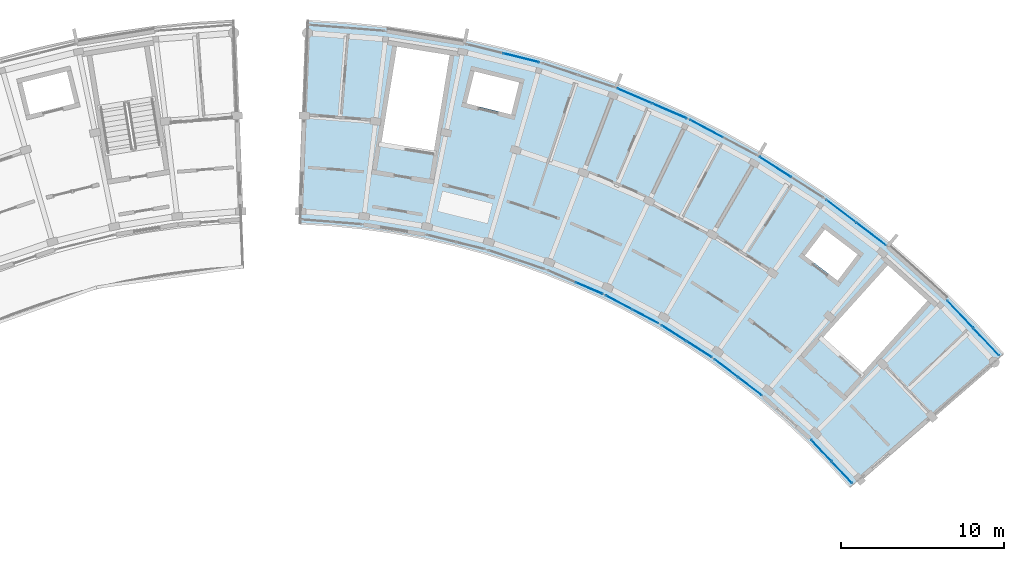
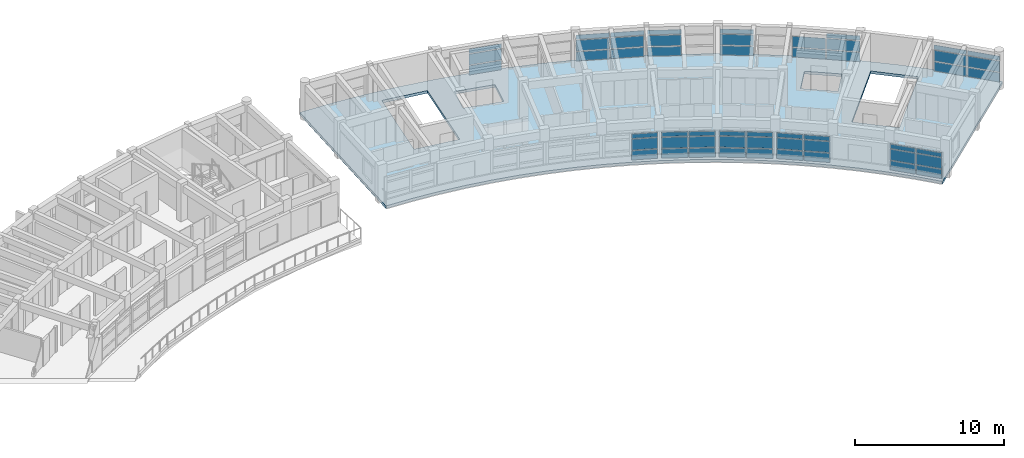
# One storey, part 12 of 23: 53 plates, 1 slab, 11 elements without a shape of their own.
"""IFC4 building model written with IfcOpenShell, lengths in metres."""

import ifcopenshell
import ifcopenshell.guid

model = None  # the IFC model being written
_history = None  # IfcOwnerHistory: only IFC2X3 demands one
_inside = {}  # id of a spatial element -> (the spatial element, [elements in it])
_under = {}  # id of a project, library or spatial element -> (it, [spatial elements below it])
_declared = {}  # id of a project -> (the project, [libraries it declares])
_typed = {}  # id of a type object -> (the type object, [elements of that type])
_made_of = {}  # id of a material, layer set ... -> (it, [elements and type objects made of it])


def new_model(schema):
    """Start an empty IFC model of exactly this schema.

    Asked for "IFC4X3", IfcOpenShell would pick the latest addendum, in which some entities
    have other attributes; the version numbers below select the first issue.
    IFC2X3 requires an IfcOwnerHistory on every rooted entity: one is made here for all.
    """
    global model, _history
    if schema == "IFC4X3":
        model = ifcopenshell.file(schema_version=(4, 3, 0, 0))
    else:
        model = ifcopenshell.file(schema=schema)
    _inside.clear()
    _under.clear()
    _declared.clear()
    _typed.clear()
    _made_of.clear()
    _history = None
    if model.schema == "IFC2X3":
        org = make("IfcOrganization", Name="unknown")
        user = make(
            "IfcPersonAndOrganization",
            ThePerson=make("IfcPerson", FamilyName="unknown"),
            TheOrganization=org,
        )
        app = make(
            "IfcApplication",
            ApplicationDeveloper=org,
            Version="unknown",
            ApplicationFullName="unknown",
            ApplicationIdentifier="unknown",
        )
        _history = make(
            "IfcOwnerHistory",
            OwningUser=user,
            OwningApplication=app,
            ChangeAction="ADDED",
            CreationDate=0,
        )
    return model


def make(cls, **values):
    """One entity of the class cls with the attributes given. An attribute that is None is left unset."""
    return model.create_entity(
        cls, **{name: value for name, value in values.items() if value is not None}
    )


def rooted(cls, **values):
    """An entity with a GlobalId (a new one), such as an element, a storey or a relation."""
    return make(cls, GlobalId=ifcopenshell.guid.new(), OwnerHistory=_history, **values)


def si_unit(unit_type, name, prefix=None):
    """IfcSIUnit, for example si_unit("LENGTHUNIT", "METRE", prefix="MILLI")."""
    return make("IfcSIUnit", UnitType=unit_type, Prefix=prefix, Name=name)


def assignment(units):
    """IfcUnitAssignment: the units of a project."""
    return None if units is None else make("IfcUnitAssignment", Units=units)


def point(xyz):
    """IfcCartesianPoint."""
    return None if xyz is None else make("IfcCartesianPoint", Coordinates=xyz)


def direction(xyz):
    """IfcDirection."""
    return None if xyz is None else make("IfcDirection", DirectionRatios=xyz)


def frame(location, z_axis=None, x_axis=None):
    """IfcAxis2Placement3D, a coordinate frame: its origin and axes. An axis left out is left unset."""
    return make(
        "IfcAxis2Placement3D",
        Location=point(location),
        Axis=direction(z_axis),
        RefDirection=direction(x_axis),
    )


def frame_2d(location, x_axis=None):
    """IfcAxis2Placement2D, a coordinate frame in the plane: its origin and x axis."""
    return make(
        "IfcAxis2Placement2D", Location=point(location), RefDirection=direction(x_axis)
    )


def origin():
    """The frame at (0, 0, 0) with its axes left unset."""
    return frame((0.0, 0.0, 0.0))


def origin_2d():
    """The frame at (0, 0) in the plane with its x axis left unset."""
    return frame_2d((0.0, 0.0))


def place(relative_to, where):
    """IfcLocalPlacement: puts the frame where relative to a parent placement (None: the world)."""
    return make(
        "IfcLocalPlacement", PlacementRelTo=relative_to, RelativePlacement=where
    )


def context(
    kind, dimensions, precision=None, world=None, true_north=None, identifier=None
):
    """IfcGeometricRepresentationContext, for example the 3D "Model" context."""
    return make(
        "IfcGeometricRepresentationContext",
        ContextIdentifier=identifier,
        ContextType=kind,
        CoordinateSpaceDimension=dimensions,
        Precision=precision,
        WorldCoordinateSystem=world,
        TrueNorth=true_north,
    )


def subcontext(parent, identifier, kind, view, scale=None):
    """IfcGeometricRepresentationSubContext, for example "Body" below "Model"."""
    return make(
        "IfcGeometricRepresentationSubContext",
        ContextIdentifier=identifier,
        ContextType=kind,
        ParentContext=parent,
        TargetScale=scale,
        TargetView=view,
    )


def project(units=None, contexts=None):
    """IfcProject with its units and contexts."""
    return rooted(
        "IfcProject",
        Name="project",
        RepresentationContexts=contexts,
        UnitsInContext=assignment(units),
    )


def spatial(cls, under=None, at=None, **own):
    """A site, building, storey or space (cls), placed at a placement, below another one or the project."""
    s = rooted(cls, ObjectPlacement=at, **own)
    if under is not None:
        _under.setdefault(under.id(), (under, []))[1].append(s)
    return s


def polyline(points):
    """IfcPolyline through the points."""
    return make("IfcPolyline", Points=[point(p) for p in points])


def profile(cls, at=None, kind="AREA", **sizes):
    """A parametric profile (cls). Its sizes go by their IFC names, for example OverallWidth=200.0."""
    return make(cls, ProfileType=kind, Position=at, **sizes)


def rectangle(**sizes):
    """IfcRectangleProfileDef."""
    return profile("IfcRectangleProfileDef", **sizes)


def outline(outer, holes=None, kind="AREA"):
    """IfcArbitraryClosedProfileDef: a profile drawn as a closed curve; with holes, ...WithVoids."""
    if holes is None:
        return make("IfcArbitraryClosedProfileDef", ProfileType=kind, OuterCurve=outer)
    return make(
        "IfcArbitraryProfileDefWithVoids",
        ProfileType=kind,
        OuterCurve=outer,
        InnerCurves=holes,
    )


def extrude(swept, where, along, depth):
    """IfcExtrudedAreaSolid: the profile swept, set in the frame where, extruded along a direction by depth."""
    return make(
        "IfcExtrudedAreaSolid",
        SweptArea=swept,
        Position=where,
        ExtrudedDirection=direction(along),
        Depth=depth,
    )


def shape(context_of_items, identifier, shape_type, items):
    """IfcShapeRepresentation: the items that make up one representation, for example the "Body"."""
    return make(
        "IfcShapeRepresentation",
        ContextOfItems=context_of_items,
        RepresentationIdentifier=identifier,
        RepresentationType=shape_type,
        Items=items,
    )


def material(Name=None, Category=None):
    """IfcMaterial."""
    return make("IfcMaterial", Name=Name, Category=Category)


def layer(
    of_material, thickness, ventilated=None, Name=None, Category=None, Priority=None
):
    """IfcMaterialLayer: one layer of a wall or slab, of a material (None: an air gap)."""
    return make(
        "IfcMaterialLayer",
        Material=of_material,
        LayerThickness=thickness,
        IsVentilated=ventilated,
        Name=Name,
        Category=Category,
        Priority=Priority,
    )


def layer_set(layers, Name=None):
    """IfcMaterialLayerSet."""
    return make("IfcMaterialLayerSet", MaterialLayers=layers, LayerSetName=Name)


def made_of(thing, what):
    """Note that an element or type object is made of a material, layer set ...; save() writes the relation."""
    if what is not None:
        _made_of.setdefault(what.id(), (what, []))[1].append(thing)
    return thing


def type_object(cls, material=None, **own):
    """A type object (cls), such as IfcWallType, which elements share."""
    return made_of(rooted(cls, **own), material)


def element(
    cls,
    number,
    at=None,
    inside=None,
    cuts=None,
    type_object=None,
    material=None,
    context=None,
    identifier="Body",
    shape_type=None,
    held_by="IfcProductDefinitionShape",
    body=None,
    shapes=None,
    **own,
):
    """One element of the class cls, such as IfcWall. Its Tag is "e" and its number.

    at: its placement. inside: the storey or other place that contains it. cuts: it is an
    opening in that element (IfcRelVoidsElement). A single representation is given by context,
    identifier, shape_type and body (its items); several are given by shapes. held_by: the class
    of the entity that holds the representations. save() writes the other relations.
    """
    e = rooted(cls, Tag="e%d" % number, ObjectPlacement=at, **own)
    if body is not None:
        shapes = [shape(context, identifier, shape_type, body)]
    if shapes is not None:
        e.Representation = make(held_by, Representations=shapes)
    if inside is not None:
        _inside.setdefault(inside.id(), (inside, []))[1].append(e)
    if cuts is not None:
        rooted(
            "IfcRelVoidsElement", RelatingBuildingElement=cuts, RelatedOpeningElement=e
        )
    if type_object is not None:
        _typed.setdefault(type_object.id(), (type_object, []))[1].append(e)
    return made_of(e, material)


def aggregate(whole, parts):
    """IfcRelAggregates: a whole, such as a stair, and the parts it consists of."""
    return rooted("IfcRelAggregates", RelatingObject=whole, RelatedObjects=parts)


def save(model, path):
    """Write the relations noted so far, then the file.

    IfcRelAggregates (storeys below a building ...), IfcRelContainedInSpatialStructure (elements
    in a storey), IfcRelDefinesByType, IfcRelAssociatesMaterial and IfcRelDeclares: one each for
    every whole, place, type object, material and project.
    """
    for whole, parts in _under.values():
        aggregate(whole, parts)
    for where, things in _inside.values():
        rooted(
            "IfcRelContainedInSpatialStructure",
            RelatedElements=things,
            RelatingStructure=where,
        )
    for kind, things in _typed.values():
        rooted("IfcRelDefinesByType", RelatedObjects=things, RelatingType=kind)
    for what, things in _made_of.values():
        rooted("IfcRelAssociatesMaterial", RelatedObjects=things, RelatingMaterial=what)
    for by, libraries in _declared.values():
        rooted("IfcRelDeclares", RelatingContext=by, RelatedDefinitions=libraries)
    model.write(path)


model = new_model("IFC4")

# Units and contexts
model_context = context("Model", 3, precision=1e-05, world=origin(), true_north=direction((0.0, 1.0)))
body_context = subcontext(model_context, "Body", "Model", "MODEL_VIEW")
ifc_project = project(units=[si_unit("LENGTHUNIT", "METRE"), si_unit("AREAUNIT", "SQUARE_METRE"), si_unit("VOLUMEUNIT", "CUBIC_METRE"), si_unit("PLANEANGLEUNIT", "RADIAN"), si_unit("MASSUNIT", "GRAM", prefix="KILO")], contexts=[model_context])

# Site, building, storey
site_placement = place(None, origin())
site = spatial("IfcSite", under=ifc_project, at=site_placement, CompositionType="ELEMENT")
building_placement = place(site_placement, origin())
building = spatial("IfcBuilding", under=site, at=building_placement, Name="Zimvara Arc Housing Community", CompositionType="ELEMENT")
storey_placement = place(building_placement, frame((0.0, 0.0, 36.0)))
storey = spatial("IfcBuildingStorey", under=building, at=storey_placement, Name="L11", CompositionType="ELEMENT", Elevation=36.0)

# Curtain wall, plates
ifc_material_1 = material(Name="Anodised Aluminium AW-6063", Category="aluminium")
curtain_wall_type_1 = type_object("IfcCurtainWallType", Name="CW-SYS-04", PredefinedType="USERDEFINED", material=ifc_material_1)
curtain_wall_1_placement = place(storey_placement, origin())
curtain_wall_1 = element("IfcCurtainWall", 1, at=curtain_wall_1_placement, inside=storey, type_object=curtain_wall_type_1, Name="cw:blkB:L11:in:b4", ObjectType="CURTAIN WALL", PredefinedType="USERDEFINED")
ifc_material_2 = material(Name="Pale-Gold Anodised Aluminium Spandrel Panel", Category="aluminium")
ifc_layer_1 = layer(ifc_material_2, 0.035888671875)
ifc_layer_set_1 = layer_set([ifc_layer_1], Name="Pale-Gold Anodised Aluminium Spandrel Panel")
plate_type_1 = type_object("IfcPlateType", Name="CWP-GLD-36", PredefinedType="CURTAIN_PANEL", material=ifc_layer_set_1)
plate_1_placement = place(storey_placement, frame((64.5576171875, 87.66552734375, 0.06494140625), z_axis=(0.0, 0.0, 1.0), x_axis=(0.918722411261, -0.394903951674, 0.0)))
plate_1 = element("IfcPlate", 2, at=plate_1_placement, type_object=plate_type_1, Name="CW04 panel 2.1", PredefinedType="CURTAIN_PANEL", context=body_context, shape_type="SweptSolid", body=[
    extrude(rectangle(XDim=1.778564453125, YDim=0.035888671875, at=origin_2d()), origin(), (0.0, 0.0, 1.0), 0.75244140625),
])
plate_2_placement = place(storey_placement, frame((64.5576171875, 87.66552734375, 0.88232421875), z_axis=(0.0, 0.0, 1.0), x_axis=(0.918722411261, -0.394903951674, 0.0)))
plate_2 = element("IfcPlate", 3, at=plate_2_placement, type_object=plate_type_1, Name="CW04 panel 2.2", PredefinedType="CURTAIN_PANEL", context=body_context, shape_type="SweptSolid", body=[
    extrude(rectangle(XDim=1.778564453125, YDim=0.035888671875, at=origin_2d()), origin(), (0.0, 0.0, 1.0), 0.885009765625),
])
plate_3_placement = place(storey_placement, frame((64.5576171875, 87.66552734375, 1.83251953125), z_axis=(0.0, 0.0, 1.0), x_axis=(0.918722411261, -0.394903951674, 0.0)))
plate_3 = element("IfcPlate", 4, at=plate_3_placement, type_object=plate_type_1, Name="CW04 panel 2.3", PredefinedType="CURTAIN_PANEL", context=body_context, shape_type="SweptSolid", body=[
    extrude(rectangle(XDim=1.778564453125, YDim=0.035888671875, at=origin_2d()), origin(), (0.0, 0.0, 1.0), 0.3525390625),
])
aggregate(curtain_wall_1, [plate_1, plate_2, plate_3])

ifc_material_3 = material(Name="Anodised Aluminium AW-6063", Category="aluminium")
curtain_wall_type_2 = type_object("IfcCurtainWallType", Name="CW-SYS-08", PredefinedType="USERDEFINED", material=ifc_material_3)
curtain_wall_2_placement = place(storey_placement, origin())
curtain_wall_2 = element("IfcCurtainWall", 5, at=curtain_wall_2_placement, inside=storey, type_object=curtain_wall_type_2, Name="cw:blkB:L11:in:b6", ObjectType="CURTAIN WALL", PredefinedType="USERDEFINED")
plate_4_placement = place(storey_placement, frame((69.7646484375, 84.90380859375, 0.06494140625), z_axis=(0.0, 0.0, 1.0), x_axis=(0.842264092079, -0.539065115913, 0.0)))
plate_4 = element("IfcPlate", 6, at=plate_4_placement, type_object=plate_type_1, Name="CW08 panel 1.1", PredefinedType="CURTAIN_PANEL", context=body_context, shape_type="SweptSolid", body=[
    extrude(rectangle(XDim=1.778564453125, YDim=0.035888671875, at=origin_2d()), origin(), (0.0, 0.0, 1.0), 0.75244140625),
])
plate_5_placement = place(storey_placement, frame((69.7646484375, 84.90380859375, 0.88232421875), z_axis=(0.0, 0.0, 1.0), x_axis=(0.842264092079, -0.539065115913, 0.0)))
plate_5 = element("IfcPlate", 7, at=plate_5_placement, type_object=plate_type_1, Name="CW08 panel 1.2", PredefinedType="CURTAIN_PANEL", context=body_context, shape_type="SweptSolid", body=[
    extrude(rectangle(XDim=1.778564453125, YDim=0.035888671875, at=origin_2d()), origin(), (0.0, 0.0, 1.0), 0.885009765625),
])
plate_6_placement = place(storey_placement, frame((69.7646484375, 84.90380859375, 1.83251953125), z_axis=(0.0, 0.0, 1.0), x_axis=(0.842264092079, -0.539065115913, 0.0)))
plate_6 = element("IfcPlate", 8, at=plate_6_placement, type_object=plate_type_1, Name="CW08 panel 1.3", PredefinedType="CURTAIN_PANEL", context=body_context, shape_type="SweptSolid", body=[
    extrude(rectangle(XDim=1.778564453125, YDim=0.035888671875, at=origin_2d()), origin(), (0.0, 0.0, 1.0), 0.3525390625),
])
plate_7_placement = place(storey_placement, frame((71.317626953125, 83.909912109375, 0.06494140625), z_axis=(0.0, 0.0, 1.0), x_axis=(0.842264092079, -0.539065115913, 0.0)))
plate_7 = element("IfcPlate", 9, at=plate_7_placement, type_object=plate_type_1, Name="CW08 panel 2.1", PredefinedType="CURTAIN_PANEL", context=body_context, shape_type="SweptSolid", body=[
    extrude(rectangle(XDim=1.778564453125, YDim=0.035888671875, at=origin_2d()), origin(), (0.0, 0.0, 1.0), 0.75244140625),
])
plate_8_placement = place(storey_placement, frame((71.317626953125, 83.909912109375, 0.88232421875), z_axis=(0.0, 0.0, 1.0), x_axis=(0.842264092079, -0.539065115913, 0.0)))
plate_8 = element("IfcPlate", 10, at=plate_8_placement, type_object=plate_type_1, Name="CW08 panel 2.2", PredefinedType="CURTAIN_PANEL", context=body_context, shape_type="SweptSolid", body=[
    extrude(rectangle(XDim=1.778564453125, YDim=0.035888671875, at=origin_2d()), origin(), (0.0, 0.0, 1.0), 0.885009765625),
])
plate_9_placement = place(storey_placement, frame((71.317626953125, 83.909912109375, 1.83251953125), z_axis=(0.0, 0.0, 1.0), x_axis=(0.842264092079, -0.539065115913, 0.0)))
plate_9 = element("IfcPlate", 11, at=plate_9_placement, type_object=plate_type_1, Name="CW08 panel 2.3", PredefinedType="CURTAIN_PANEL", context=body_context, shape_type="SweptSolid", body=[
    extrude(rectangle(XDim=1.778564453125, YDim=0.035888671875, at=origin_2d()), origin(), (0.0, 0.0, 1.0), 0.3525390625),
])
aggregate(curtain_wall_2, [plate_4, plate_5, plate_6, plate_7, plate_8, plate_9])

curtain_wall_3_placement = place(storey_placement, origin())
curtain_wall_3 = element("IfcCurtainWall", 12, at=curtain_wall_3_placement, inside=storey, type_object=curtain_wall_type_1, Name="cw:blkB:L11:in:b9", ObjectType="CURTAIN WALL", PredefinedType="USERDEFINED")
plate_10_placement = place(storey_placement, frame((78.826904296875, 77.68896484375, 0.06494140625), z_axis=(0.0, 0.0, 1.0), x_axis=(0.686326336018, -0.727293723669, 0.0)))
plate_10 = element("IfcPlate", 13, at=plate_10_placement, type_object=plate_type_1, Name="CW04 panel 1.1", PredefinedType="CURTAIN_PANEL", context=body_context, shape_type="SweptSolid", body=[
    extrude(rectangle(XDim=1.778564453125, YDim=0.035888671875, at=origin_2d()), origin(), (0.0, 0.0, 1.0), 0.75244140625),
])
plate_11_placement = place(storey_placement, frame((78.826904296875, 77.68896484375, 0.88232421875), z_axis=(0.0, 0.0, 1.0), x_axis=(0.686326336018, -0.727293723669, 0.0)))
plate_11 = element("IfcPlate", 14, at=plate_11_placement, type_object=plate_type_1, Name="CW04 panel 1.2", PredefinedType="CURTAIN_PANEL", context=body_context, shape_type="SweptSolid", body=[
    extrude(rectangle(XDim=1.778564453125, YDim=0.035888671875, at=origin_2d()), origin(), (0.0, 0.0, 1.0), 0.885009765625),
])
plate_12_placement = place(storey_placement, frame((78.826904296875, 77.68896484375, 1.83251953125), z_axis=(0.0, 0.0, 1.0), x_axis=(0.686326336018, -0.727293723669, 0.0)))
plate_12 = element("IfcPlate", 15, at=plate_12_placement, type_object=plate_type_1, Name="CW04 panel 1.3", PredefinedType="CURTAIN_PANEL", context=body_context, shape_type="SweptSolid", body=[
    extrude(rectangle(XDim=1.778564453125, YDim=0.035888671875, at=origin_2d()), origin(), (0.0, 0.0, 1.0), 0.3525390625),
])
plate_13_placement = place(storey_placement, frame((80.09228515625, 76.34814453125, 0.06494140625), z_axis=(0.0, 0.0, 1.0), x_axis=(0.686326336018, -0.727293723669, 0.0)))
plate_13 = element("IfcPlate", 16, at=plate_13_placement, type_object=plate_type_1, Name="CW04 panel 2.1", PredefinedType="CURTAIN_PANEL", context=body_context, shape_type="SweptSolid", body=[
    extrude(rectangle(XDim=1.778564453125, YDim=0.035888671875, at=origin_2d()), origin(), (0.0, 0.0, 1.0), 0.75244140625),
])
plate_14_placement = place(storey_placement, frame((80.09228515625, 76.34814453125, 0.88232421875), z_axis=(0.0, 0.0, 1.0), x_axis=(0.686326336018, -0.727293723669, 0.0)))
plate_14 = element("IfcPlate", 17, at=plate_14_placement, type_object=plate_type_1, Name="CW04 panel 2.2", PredefinedType="CURTAIN_PANEL", context=body_context, shape_type="SweptSolid", body=[
    extrude(rectangle(XDim=1.778564453125, YDim=0.035888671875, at=origin_2d()), origin(), (0.0, 0.0, 1.0), 0.885009765625),
])
plate_15_placement = place(storey_placement, frame((80.09228515625, 76.34814453125, 1.83251953125), z_axis=(0.0, 0.0, 1.0), x_axis=(0.686326336018, -0.727293723669, 0.0)))
plate_15 = element("IfcPlate", 18, at=plate_15_placement, type_object=plate_type_1, Name="CW04 panel 2.3", PredefinedType="CURTAIN_PANEL", context=body_context, shape_type="SweptSolid", body=[
    extrude(rectangle(XDim=1.778564453125, YDim=0.035888671875, at=origin_2d()), origin(), (0.0, 0.0, 1.0), 0.3525390625),
])
aggregate(curtain_wall_3, [plate_10, plate_11, plate_12, plate_13, plate_14, plate_15])

ifc_material_4 = material(Name="Anodised Aluminium AW-6063", Category="aluminium")
curtain_wall_type_3 = type_object("IfcCurtainWallType", Name="CW-SYS-05", PredefinedType="USERDEFINED", material=ifc_material_4)
curtain_wall_4_placement = place(storey_placement, origin())
curtain_wall_4 = element("IfcCurtainWall", 19, at=curtain_wall_4_placement, inside=storey, type_object=curtain_wall_type_3, Name="cw:blkB:L11:out:b5", ObjectType="CURTAIN WALL", PredefinedType="USERDEFINED")
ifc_material_5 = material(Name="Solar Control Low-E Double Glazing", Category="glass")
ifc_layer_2 = layer(ifc_material_5, 0.02392578125)
ifc_layer_set_2 = layer_set([ifc_layer_2], Name="Solar Control Low-E Double Glazing")
plate_type_2 = type_object("IfcPlateType", Name="CWP-GLZ-24", PredefinedType="CURTAIN_PANEL", material=ifc_layer_set_2)
plate_16_placement = place(storey_placement, frame((71.76904296875, 97.461181640625, 0.06494140625), z_axis=(0.0, 0.0, 1.0), x_axis=(0.883438614651, -0.468546917761, 0.0)))
plate_16 = element("IfcPlate", 20, at=plate_16_placement, type_object=plate_type_2, Name="CW05 panel 1.1", PredefinedType="CURTAIN_PANEL", context=body_context, shape_type="SweptSolid", body=[
    extrude(rectangle(XDim=2.266845703125, YDim=0.02392578125, at=origin_2d()), origin(), (0.0, 0.0, 1.0), 0.75244140625),
])
plate_17_placement = place(storey_placement, frame((71.76904296875, 97.461181640625, 0.88232421875), z_axis=(0.0, 0.0, 1.0), x_axis=(0.883438614651, -0.468546917761, 0.0)))
plate_17 = element("IfcPlate", 21, at=plate_17_placement, type_object=plate_type_2, Name="CW05 panel 1.2", PredefinedType="CURTAIN_PANEL", context=body_context, shape_type="SweptSolid", body=[
    extrude(rectangle(XDim=2.266845703125, YDim=0.02392578125, at=origin_2d()), origin(), (0.0, 0.0, 1.0), 0.885009765625),
])
plate_18_placement = place(storey_placement, frame((71.76904296875, 97.461181640625, 1.83251953125), z_axis=(0.0, 0.0, 1.0), x_axis=(0.883438614651, -0.468546917761, 0.0)))
plate_18 = element("IfcPlate", 22, at=plate_18_placement, type_object=plate_type_2, Name="CW05 panel 1.3", PredefinedType="CURTAIN_PANEL", context=body_context, shape_type="SweptSolid", body=[
    extrude(rectangle(XDim=2.266845703125, YDim=0.02392578125, at=origin_2d()), origin(), (0.0, 0.0, 1.0), 0.3525390625),
])
aggregate(curtain_wall_4, [plate_16, plate_17, plate_18])

ifc_material_6 = material(Name="Anodised Aluminium AW-6063", Category="aluminium")
curtain_wall_type_4 = type_object("IfcCurtainWallType", Name="CW-SYS-01", PredefinedType="USERDEFINED", material=ifc_material_6)
curtain_wall_5_placement = place(storey_placement, origin())
curtain_wall_5 = element("IfcCurtainWall", 23, at=curtain_wall_5_placement, inside=storey, type_object=curtain_wall_type_4, Name="cw:blkB:L11:out:b7", ObjectType="CURTAIN WALL", PredefinedType="USERDEFINED")
plate_19_placement = place(storey_placement, frame((80.026123046875, 92.40234375, 0.06494140625), z_axis=(0.0, 0.0, 1.0), x_axis=(0.795473999177, -0.60598771987, 0.0)))
plate_19 = element("IfcPlate", 24, at=plate_19_placement, type_object=plate_type_2, Name="CW01 panel 1.1", PredefinedType="CURTAIN_PANEL", context=body_context, shape_type="SweptSolid", body=[
    extrude(rectangle(XDim=2.266845703125, YDim=0.02392578125, at=origin_2d()), origin(), (0.0, 0.0, 1.0), 0.75244140625),
])
plate_20_placement = place(storey_placement, frame((80.026123046875, 92.40234375, 0.88232421875), z_axis=(0.0, 0.0, 1.0), x_axis=(0.795473999177, -0.60598771987, 0.0)))
plate_20 = element("IfcPlate", 25, at=plate_20_placement, type_object=plate_type_2, Name="CW01 panel 1.2", PredefinedType="CURTAIN_PANEL", context=body_context, shape_type="SweptSolid", body=[
    extrude(rectangle(XDim=2.266845703125, YDim=0.02392578125, at=origin_2d()), origin(), (0.0, 0.0, 1.0), 0.885009765625),
])
plate_21_placement = place(storey_placement, frame((81.881103515625, 90.9892578125, 0.06494140625), z_axis=(0.0, 0.0, 1.0), x_axis=(0.795473999177, -0.60598771987, 0.0)))
plate_21 = element("IfcPlate", 26, at=plate_21_placement, type_object=plate_type_2, Name="CW01 panel 2.1", PredefinedType="CURTAIN_PANEL", context=body_context, shape_type="SweptSolid", body=[
    extrude(rectangle(XDim=2.266845703125, YDim=0.02392578125, at=origin_2d()), origin(), (0.0, 0.0, 1.0), 0.75244140625),
])
plate_22_placement = place(storey_placement, frame((81.881103515625, 90.9892578125, 0.88232421875), z_axis=(0.0, 0.0, 1.0), x_axis=(0.795473999177, -0.60598771987, 0.0)))
plate_22 = element("IfcPlate", 27, at=plate_22_placement, type_object=plate_type_2, Name="CW01 panel 2.2", PredefinedType="CURTAIN_PANEL", context=body_context, shape_type="SweptSolid", body=[
    extrude(rectangle(XDim=2.266845703125, YDim=0.02392578125, at=origin_2d()), origin(), (0.0, 0.0, 1.0), 0.885009765625),
])
plate_23_placement = place(storey_placement, frame((81.881103515625, 90.9892578125, 1.83251953125), z_axis=(0.0, 0.0, 1.0), x_axis=(0.795473999177, -0.60598771987, 0.0)))
plate_23 = element("IfcPlate", 28, at=plate_23_placement, type_object=plate_type_2, Name="CW01 panel 2.3", PredefinedType="CURTAIN_PANEL", context=body_context, shape_type="SweptSolid", body=[
    extrude(rectangle(XDim=2.266845703125, YDim=0.02392578125, at=origin_2d()), origin(), (0.0, 0.0, 1.0), 0.3525390625),
])
aggregate(curtain_wall_5, [plate_19, plate_20, plate_21, plate_22, plate_23])

ifc_material_7 = material(Name="Anodised Aluminium AW-6063", Category="aluminium")
curtain_wall_type_5 = type_object("IfcCurtainWallType", Name="CW-SYS-06", PredefinedType="USERDEFINED", material=ifc_material_7)
curtain_wall_6_placement = place(storey_placement, origin())
curtain_wall_6 = element("IfcCurtainWall", 29, at=curtain_wall_6_placement, inside=storey, type_object=curtain_wall_type_5, Name="cw:blkB:L11:in:b5", ObjectType="CURTAIN WALL", PredefinedType="USERDEFINED")
ifc_material_8 = material(Name="Solar Control Low-E Double Glazing", Category="glass")
ifc_layer_3 = layer(ifc_material_8, 0.028076171875)
ifc_layer_set_3 = layer_set([ifc_layer_3], Name="Solar Control Low-E Double Glazing")
plate_type_3 = type_object("IfcPlateType", Name="CWP-GLZ-28", PredefinedType="CURTAIN_PANEL", material=ifc_layer_set_3)
plate_24_placement = place(storey_placement, frame((66.385498046875, 86.78955078125, 0.06494140625), z_axis=(0.0, 0.0, 1.0), x_axis=(0.883438518424, -0.468547099195, 0.0)))
plate_24 = element("IfcPlate", 30, at=plate_24_placement, type_object=plate_type_3, Name="CW06 panel 1.1", PredefinedType="CURTAIN_PANEL", context=body_context, shape_type="SweptSolid", body=[
    extrude(rectangle(XDim=1.778564453125, YDim=0.028076171875, at=origin_2d()), origin(), (0.0, 0.0, 1.0), 0.75244140625),
])
plate_25_placement = place(storey_placement, frame((66.385498046875, 86.78955078125, 0.88232421875), z_axis=(0.0, 0.0, 1.0), x_axis=(0.883438518424, -0.468547099195, 0.0)))
plate_25 = element("IfcPlate", 31, at=plate_25_placement, type_object=plate_type_3, Name="CW06 panel 1.2", PredefinedType="CURTAIN_PANEL", context=body_context, shape_type="SweptSolid", body=[
    extrude(rectangle(XDim=1.778564453125, YDim=0.028076171875, at=origin_2d()), origin(), (0.0, 0.0, 1.0), 0.885009765625),
])
plate_26_placement = place(storey_placement, frame((66.385498046875, 86.78955078125, 1.83251953125), z_axis=(0.0, 0.0, 1.0), x_axis=(0.883438518424, -0.468547099195, 0.0)))
plate_26 = element("IfcPlate", 32, at=plate_26_placement, type_object=plate_type_3, Name="CW06 panel 1.3", PredefinedType="CURTAIN_PANEL", context=body_context, shape_type="SweptSolid", body=[
    extrude(rectangle(XDim=1.778564453125, YDim=0.028076171875, at=origin_2d()), origin(), (0.0, 0.0, 1.0), 0.3525390625),
])
plate_27_placement = place(storey_placement, frame((68.014404296875, 85.92578125, 0.06494140625), z_axis=(0.0, 0.0, 1.0), x_axis=(0.883438518424, -0.468547099195, 0.0)))
plate_27 = element("IfcPlate", 33, at=plate_27_placement, type_object=plate_type_3, Name="CW06 panel 2.1", PredefinedType="CURTAIN_PANEL", context=body_context, shape_type="SweptSolid", body=[
    extrude(rectangle(XDim=1.778564453125, YDim=0.028076171875, at=origin_2d()), origin(), (0.0, 0.0, 1.0), 0.75244140625),
])
plate_28_placement = place(storey_placement, frame((68.014404296875, 85.92578125, 0.88232421875), z_axis=(0.0, 0.0, 1.0), x_axis=(0.883438518424, -0.468547099195, 0.0)))
plate_28 = element("IfcPlate", 34, at=plate_28_placement, type_object=plate_type_3, Name="CW06 panel 2.2", PredefinedType="CURTAIN_PANEL", context=body_context, shape_type="SweptSolid", body=[
    extrude(rectangle(XDim=1.778564453125, YDim=0.028076171875, at=origin_2d()), origin(), (0.0, 0.0, 1.0), 0.885009765625),
])
plate_29_placement = place(storey_placement, frame((68.014404296875, 85.92578125, 1.83251953125), z_axis=(0.0, 0.0, 1.0), x_axis=(0.883438518424, -0.468547099195, 0.0)))
plate_29 = element("IfcPlate", 35, at=plate_29_placement, type_object=plate_type_3, Name="CW06 panel 2.3", PredefinedType="CURTAIN_PANEL", context=body_context, shape_type="SweptSolid", body=[
    extrude(rectangle(XDim=1.778564453125, YDim=0.028076171875, at=origin_2d()), origin(), (0.0, 0.0, 1.0), 0.3525390625),
])
aggregate(curtain_wall_6, [plate_24, plate_25, plate_26, plate_27, plate_28, plate_29])

ifc_material_9 = material(Name="Anodised Aluminium AW-6063", Category="aluminium")
curtain_wall_type_6 = type_object("IfcCurtainWallType", Name="CW-SYS-02", PredefinedType="USERDEFINED", material=ifc_material_9)
curtain_wall_7_placement = place(storey_placement, origin())
curtain_wall_7 = element("IfcCurtainWall", 36, at=curtain_wall_7_placement, inside=storey, type_object=curtain_wall_type_6, Name="cw:blkB:L11:in:b7", ObjectType="CURTAIN WALL", PredefinedType="USERDEFINED")
plate_30_placement = place(storey_placement, frame((72.978759765625, 82.74853515625, 0.06494140625), z_axis=(0.0, 0.0, 1.0), x_axis=(0.795473930895, -0.605987809503, 0.0)))
plate_30 = element("IfcPlate", 37, at=plate_30_placement, type_object=plate_type_3, Name="CW02 panel 1.1", PredefinedType="CURTAIN_PANEL", context=body_context, shape_type="SweptSolid", body=[
    extrude(rectangle(XDim=1.778564453125, YDim=0.028076171875, at=origin_2d()), origin(), (0.0, 0.0, 1.0), 0.75244140625),
])
plate_31_placement = place(storey_placement, frame((72.978759765625, 82.74853515625, 0.88232421875), z_axis=(0.0, 0.0, 1.0), x_axis=(0.795473930895, -0.605987809503, 0.0)))
plate_31 = element("IfcPlate", 38, at=plate_31_placement, type_object=plate_type_3, Name="CW02 panel 1.2", PredefinedType="CURTAIN_PANEL", context=body_context, shape_type="SweptSolid", body=[
    extrude(rectangle(XDim=1.778564453125, YDim=0.028076171875, at=origin_2d()), origin(), (0.0, 0.0, 1.0), 0.885009765625),
])
plate_32_placement = place(storey_placement, frame((72.978759765625, 82.74853515625, 1.83251953125), z_axis=(0.0, 0.0, 1.0), x_axis=(0.795473930895, -0.605987809503, 0.0)))
plate_32 = element("IfcPlate", 39, at=plate_32_placement, type_object=plate_type_3, Name="CW02 panel 1.3", PredefinedType="CURTAIN_PANEL", context=body_context, shape_type="SweptSolid", body=[
    extrude(rectangle(XDim=1.778564453125, YDim=0.028076171875, at=origin_2d()), origin(), (0.0, 0.0, 1.0), 0.3525390625),
])
plate_33_placement = place(storey_placement, frame((74.4453125, 81.63134765625, 0.06494140625), z_axis=(0.0, 0.0, 1.0), x_axis=(0.795473930895, -0.605987809503, 0.0)))
plate_33 = element("IfcPlate", 40, at=plate_33_placement, type_object=plate_type_3, Name="CW02 panel 2.1", PredefinedType="CURTAIN_PANEL", context=body_context, shape_type="SweptSolid", body=[
    extrude(rectangle(XDim=1.778564453125, YDim=0.028076171875, at=origin_2d()), origin(), (0.0, 0.0, 1.0), 0.75244140625),
])
plate_34_placement = place(storey_placement, frame((74.4453125, 81.63134765625, 0.88232421875), z_axis=(0.0, 0.0, 1.0), x_axis=(0.795473930895, -0.605987809503, 0.0)))
plate_34 = element("IfcPlate", 41, at=plate_34_placement, type_object=plate_type_3, Name="CW02 panel 2.2", PredefinedType="CURTAIN_PANEL", context=body_context, shape_type="SweptSolid", body=[
    extrude(rectangle(XDim=1.778564453125, YDim=0.028076171875, at=origin_2d()), origin(), (0.0, 0.0, 1.0), 0.885009765625),
])
plate_35_placement = place(storey_placement, frame((74.4453125, 81.63134765625, 1.83251953125), z_axis=(0.0, 0.0, 1.0), x_axis=(0.795473930895, -0.605987809503, 0.0)))
plate_35 = element("IfcPlate", 42, at=plate_35_placement, type_object=plate_type_3, Name="CW02 panel 2.3", PredefinedType="CURTAIN_PANEL", context=body_context, shape_type="SweptSolid", body=[
    extrude(rectangle(XDim=1.778564453125, YDim=0.028076171875, at=origin_2d()), origin(), (0.0, 0.0, 1.0), 0.3525390625),
])
aggregate(curtain_wall_7, [plate_30, plate_31, plate_32, plate_33, plate_34, plate_35])

ifc_material_10 = material(Name="Anodised Aluminium AW-6063", Category="aluminium")
curtain_wall_type_7 = type_object("IfcCurtainWallType", Name="CW-SYS-07", PredefinedType="USERDEFINED", material=ifc_material_10)
curtain_wall_8_placement = place(storey_placement, origin())
curtain_wall_8 = element("IfcCurtainWall", 43, at=curtain_wall_8_placement, inside=storey, type_object=curtain_wall_type_7, Name="cw:blkB:L11:out:b2", ObjectType="CURTAIN WALL", PredefinedType="USERDEFINED")
ifc_material_11 = material(Name="Acoustic Laminated Solar Glazing", Category="glass")
ifc_layer_4 = layer(ifc_material_11, 0.031982421875)
ifc_layer_set_4 = layer_set([ifc_layer_4], Name="Acoustic Laminated Solar Glazing")
plate_type_4 = type_object("IfcPlateType", Name="CWP-GLZ-32", PredefinedType="CURTAIN_PANEL", material=ifc_layer_set_4)
plate_36_placement = place(storey_placement, frame((60.384765625, 101.81298828125, 0.06494140625), z_axis=(0.0, 0.0, 1.0), x_axis=(0.970716068627, -0.240229711131, 0.0)))
plate_36 = element("IfcPlate", 44, at=plate_36_placement, type_object=plate_type_4, Name="CW07 panel 2.1", PredefinedType="CURTAIN_PANEL", context=body_context, shape_type="SweptSolid", body=[
    extrude(rectangle(XDim=2.266845703125, YDim=0.031982421875, at=origin_2d()), origin(), (0.0, 0.0, 1.0), 0.75244140625),
])
plate_37_placement = place(storey_placement, frame((60.384765625, 101.81298828125, 0.88232421875), z_axis=(0.0, 0.0, 1.0), x_axis=(0.970716068627, -0.240229711131, 0.0)))
plate_37 = element("IfcPlate", 45, at=plate_37_placement, type_object=plate_type_4, Name="CW07 panel 2.2", PredefinedType="CURTAIN_PANEL", context=body_context, shape_type="SweptSolid", body=[
    extrude(rectangle(XDim=2.266845703125, YDim=0.031982421875, at=origin_2d()), origin(), (0.0, 0.0, 1.0), 0.885009765625),
])
plate_38_placement = place(storey_placement, frame((60.384765625, 101.81298828125, 1.83251953125), z_axis=(0.0, 0.0, 1.0), x_axis=(0.970716068627, -0.240229711131, 0.0)))
plate_38 = element("IfcPlate", 46, at=plate_38_placement, type_object=plate_type_4, Name="CW07 panel 2.3", PredefinedType="CURTAIN_PANEL", context=body_context, shape_type="SweptSolid", body=[
    extrude(rectangle(XDim=2.266845703125, YDim=0.031982421875, at=origin_2d()), origin(), (0.0, 0.0, 1.0), 0.3525390625),
])
aggregate(curtain_wall_8, [plate_36, plate_37, plate_38])

ifc_material_12 = material(Name="Anodised Aluminium AW-6063", Category="aluminium")
curtain_wall_type_8 = type_object("IfcCurtainWallType", Name="CW-SYS-03", PredefinedType="USERDEFINED", material=ifc_material_12)
curtain_wall_9_placement = place(storey_placement, origin())
curtain_wall_9 = element("IfcCurtainWall", 47, at=curtain_wall_9_placement, inside=storey, type_object=curtain_wall_type_8, Name="cw:blkB:L11:out:b4", ObjectType="CURTAIN WALL", PredefinedType="USERDEFINED")
plate_39_placement = place(storey_placement, frame((67.358642578125, 99.46875, 0.06494140625), z_axis=(0.0, 0.0, 1.0), x_axis=(0.918722299363, -0.394904211998, 0.0)))
plate_39 = element("IfcPlate", 48, at=plate_39_placement, type_object=plate_type_4, Name="CW03 panel 1.1", PredefinedType="CURTAIN_PANEL", context=body_context, shape_type="SweptSolid", body=[
    extrude(rectangle(XDim=2.266845703125, YDim=0.031982421875, at=origin_2d()), origin(), (0.0, 0.0, 1.0), 0.75244140625),
])
plate_40_placement = place(storey_placement, frame((67.358642578125, 99.46875, 0.88232421875), z_axis=(0.0, 0.0, 1.0), x_axis=(0.918722299363, -0.394904211998, 0.0)))
plate_40 = element("IfcPlate", 49, at=plate_40_placement, type_object=plate_type_4, Name="CW03 panel 1.2", PredefinedType="CURTAIN_PANEL", context=body_context, shape_type="SweptSolid", body=[
    extrude(rectangle(XDim=2.266845703125, YDim=0.031982421875, at=origin_2d()), origin(), (0.0, 0.0, 1.0), 0.885009765625),
])
plate_41_placement = place(storey_placement, frame((67.358642578125, 99.46875, 1.83251953125), z_axis=(0.0, 0.0, 1.0), x_axis=(0.918722299363, -0.394904211998, 0.0)))
plate_41 = element("IfcPlate", 50, at=plate_41_placement, type_object=plate_type_4, Name="CW03 panel 1.3", PredefinedType="CURTAIN_PANEL", context=body_context, shape_type="SweptSolid", body=[
    extrude(rectangle(XDim=2.266845703125, YDim=0.031982421875, at=origin_2d()), origin(), (0.0, 0.0, 1.0), 0.3525390625),
])
plate_42_placement = place(storey_placement, frame((69.5009765625, 98.5478515625, 0.06494140625), z_axis=(0.0, 0.0, 1.0), x_axis=(0.918722299363, -0.394904211998, 0.0)))
plate_42 = element("IfcPlate", 51, at=plate_42_placement, type_object=plate_type_4, Name="CW03 panel 2.1", PredefinedType="CURTAIN_PANEL", context=body_context, shape_type="SweptSolid", body=[
    extrude(rectangle(XDim=2.266845703125, YDim=0.031982421875, at=origin_2d()), origin(), (0.0, 0.0, 1.0), 0.75244140625),
])
plate_43_placement = place(storey_placement, frame((69.5009765625, 98.5478515625, 0.88232421875), z_axis=(0.0, 0.0, 1.0), x_axis=(0.918722299363, -0.394904211998, 0.0)))
plate_43 = element("IfcPlate", 52, at=plate_43_placement, type_object=plate_type_4, Name="CW03 panel 2.2", PredefinedType="CURTAIN_PANEL", context=body_context, shape_type="SweptSolid", body=[
    extrude(rectangle(XDim=2.266845703125, YDim=0.031982421875, at=origin_2d()), origin(), (0.0, 0.0, 1.0), 0.885009765625),
])
plate_44_placement = place(storey_placement, frame((69.5009765625, 98.5478515625, 1.83251953125), z_axis=(0.0, 0.0, 1.0), x_axis=(0.918722299363, -0.394904211998, 0.0)))
plate_44 = element("IfcPlate", 53, at=plate_44_placement, type_object=plate_type_4, Name="CW03 panel 2.3", PredefinedType="CURTAIN_PANEL", context=body_context, shape_type="SweptSolid", body=[
    extrude(rectangle(XDim=2.266845703125, YDim=0.031982421875, at=origin_2d()), origin(), (0.0, 0.0, 1.0), 0.3525390625),
])
aggregate(curtain_wall_9, [plate_39, plate_40, plate_41, plate_42, plate_43, plate_44])

curtain_wall_10_placement = place(storey_placement, origin())
curtain_wall_10 = element("IfcCurtainWall", 54, at=curtain_wall_10_placement, inside=storey, type_object=curtain_wall_type_7, Name="cw:blkB:L11:out:b6", ObjectType="CURTAIN WALL", PredefinedType="USERDEFINED")
plate_45_placement = place(storey_placement, frame((76.0009765625, 95.1005859375, 0.06494140625), z_axis=(0.0, 0.0, 1.0), x_axis=(0.842264410931, -0.539064617721, 0.0)))
plate_45 = element("IfcPlate", 55, at=plate_45_placement, type_object=plate_type_4, Name="CW07 panel 1.1", PredefinedType="CURTAIN_PANEL", context=body_context, shape_type="SweptSolid", body=[
    extrude(rectangle(XDim=2.266845703125, YDim=0.031982421875, at=origin_2d()), origin(), (0.0, 0.0, 1.0), 0.75244140625),
])
plate_46_placement = place(storey_placement, frame((76.0009765625, 95.1005859375, 0.88232421875), z_axis=(0.0, 0.0, 1.0), x_axis=(0.842264410931, -0.539064617721, 0.0)))
plate_46 = element("IfcPlate", 56, at=plate_46_placement, type_object=plate_type_4, Name="CW07 panel 1.2", PredefinedType="CURTAIN_PANEL", context=body_context, shape_type="SweptSolid", body=[
    extrude(rectangle(XDim=2.266845703125, YDim=0.031982421875, at=origin_2d()), origin(), (0.0, 0.0, 1.0), 0.885009765625),
])
plate_47_placement = place(storey_placement, frame((76.0009765625, 95.1005859375, 1.83251953125), z_axis=(0.0, 0.0, 1.0), x_axis=(0.842264410931, -0.539064617721, 0.0)))
plate_47 = element("IfcPlate", 57, at=plate_47_placement, type_object=plate_type_4, Name="CW07 panel 1.3", PredefinedType="CURTAIN_PANEL", context=body_context, shape_type="SweptSolid", body=[
    extrude(rectangle(XDim=2.266845703125, YDim=0.031982421875, at=origin_2d()), origin(), (0.0, 0.0, 1.0), 0.3525390625),
])
aggregate(curtain_wall_10, [plate_45, plate_46, plate_47])

curtain_wall_11_placement = place(storey_placement, origin())
curtain_wall_11 = element("IfcCurtainWall", 58, at=curtain_wall_11_placement, inside=storey, type_object=curtain_wall_type_8, Name="cw:blkB:L11:out:b9", ObjectType="CURTAIN WALL", PredefinedType="USERDEFINED")
plate_48_placement = place(storey_placement, frame((87.350341796875, 86.068115234375, 0.06494140625), z_axis=(0.0, 0.0, 1.0), x_axis=(0.686326416495, -0.727293647725, 0.0)))
plate_48 = element("IfcPlate", 59, at=plate_48_placement, type_object=plate_type_4, Name="CW03 panel 1.1", PredefinedType="CURTAIN_PANEL", context=body_context, shape_type="SweptSolid", body=[
    extrude(rectangle(XDim=2.266845703125, YDim=0.031982421875, at=origin_2d()), origin(), (0.0, 0.0, 1.0), 0.75244140625),
])
plate_49_placement = place(storey_placement, frame((87.350341796875, 86.068115234375, 0.88232421875), z_axis=(0.0, 0.0, 1.0), x_axis=(0.686326416495, -0.727293647725, 0.0)))
plate_49 = element("IfcPlate", 60, at=plate_49_placement, type_object=plate_type_4, Name="CW03 panel 1.2", PredefinedType="CURTAIN_PANEL", context=body_context, shape_type="SweptSolid", body=[
    extrude(rectangle(XDim=2.266845703125, YDim=0.031982421875, at=origin_2d()), origin(), (0.0, 0.0, 1.0), 0.885009765625),
])
plate_50_placement = place(storey_placement, frame((87.350341796875, 86.068115234375, 1.83251953125), z_axis=(0.0, 0.0, 1.0), x_axis=(0.686326416495, -0.727293647725, 0.0)))
plate_50 = element("IfcPlate", 61, at=plate_50_placement, type_object=plate_type_4, Name="CW03 panel 1.3", PredefinedType="CURTAIN_PANEL", context=body_context, shape_type="SweptSolid", body=[
    extrude(rectangle(XDim=2.266845703125, YDim=0.031982421875, at=origin_2d()), origin(), (0.0, 0.0, 1.0), 0.3525390625),
])
plate_51_placement = place(storey_placement, frame((88.950927734375, 84.3720703125, 0.06494140625), z_axis=(0.0, 0.0, 1.0), x_axis=(0.686326416495, -0.727293647725, 0.0)))
plate_51 = element("IfcPlate", 62, at=plate_51_placement, type_object=plate_type_4, Name="CW03 panel 2.1", PredefinedType="CURTAIN_PANEL", context=body_context, shape_type="SweptSolid", body=[
    extrude(rectangle(XDim=2.266845703125, YDim=0.031982421875, at=origin_2d()), origin(), (0.0, 0.0, 1.0), 0.75244140625),
])
plate_52_placement = place(storey_placement, frame((88.950927734375, 84.3720703125, 0.88232421875), z_axis=(0.0, 0.0, 1.0), x_axis=(0.686326416495, -0.727293647725, 0.0)))
plate_52 = element("IfcPlate", 63, at=plate_52_placement, type_object=plate_type_4, Name="CW03 panel 2.2", PredefinedType="CURTAIN_PANEL", context=body_context, shape_type="SweptSolid", body=[
    extrude(rectangle(XDim=2.266845703125, YDim=0.031982421875, at=origin_2d()), origin(), (0.0, 0.0, 1.0), 0.885009765625),
])
plate_53_placement = place(storey_placement, frame((88.950927734375, 84.3720703125, 1.83251953125), z_axis=(0.0, 0.0, 1.0), x_axis=(0.686326416495, -0.727293647725, 0.0)))
plate_53 = element("IfcPlate", 64, at=plate_53_placement, type_object=plate_type_4, Name="CW03 panel 2.3", PredefinedType="CURTAIN_PANEL", context=body_context, shape_type="SweptSolid", body=[
    extrude(rectangle(XDim=2.266845703125, YDim=0.031982421875, at=origin_2d()), origin(), (0.0, 0.0, 1.0), 0.3525390625),
])
aggregate(curtain_wall_11, [plate_48, plate_49, plate_50, plate_51, plate_52, plate_53])

# Slab
ifc_material_13 = material(Name="Concrete C35/45", Category="concrete")
ifc_layer_5 = layer(ifc_material_13, 0.219970703125)
ifc_layer_set_5 = layer_set([ifc_layer_5], Name="Concrete C35/45")
slab_type = type_object("IfcSlabType", Name="SLB-TYP-220", PredefinedType="FLOOR", material=ifc_layer_set_5)
slab_placement = place(storey_placement, frame((0.0, 0.0, -0.219970703125)))
element("IfcSlab", 65, at=slab_placement, inside=storey, type_object=slab_type, Name="slab:blkB:L11:main", PredefinedType="FLOOR", context=body_context, shape_type="SweptSolid", body=[
    extrude(outline(polyline([(46.81201171875, 91.665283203125), (48.736083984375, 91.552001953125), (50.654052734375, 91.360107421875), (52.562744140625, 91.090087890625), (54.45849609375, 90.74267578125), (56.3388671875, 90.31787109375), (58.199951171875, 89.816650390625), (60.039306640625, 89.239990234375), (61.853515625, 88.588623046875), (63.639404296875, 87.86376953125), (65.39453125, 87.06640625), (67.115478515625, 86.1982421875), (68.799560546875, 85.260498046875), (70.44384765625, 84.2548828125), (72.0458984375, 83.182861328125), (73.6025390625, 82.04638671875), (75.11181640625, 80.84716796875), (76.57080078125, 79.58740234375), (77.97705078125, 78.269287109375), (79.328369140625, 76.89453125), (80.622314453125, 75.466064453125), (89.980712890625, 83.60107421875), (88.3466796875, 85.405029296875), (86.640380859375, 87.140869140625), (84.86474609375, 88.805419921875), (83.0224609375, 90.39599609375), (81.116943359375, 91.91015625), (79.151123046875, 93.34521484375), (77.128173828125, 94.698974609375), (75.052001953125, 95.96875), (72.92529296875, 97.15283203125), (70.752197265625, 98.249267578125), (68.536376953125, 99.255859375), (66.281005859375, 100.171142578125), (63.990234375, 100.99365234375), (61.667724609375, 101.721923828125), (59.317626953125, 102.354736328125), (56.943359375, 102.89111328125), (54.549560546875, 103.330078125), (52.139404296875, 103.6708984375), (49.717529296875, 103.9130859375), (47.287841796875, 104.05615234375), (46.81201171875, 91.665283203125)]), holes=[polyline([(51.777099609375, 96.48583984375), (52.75439453125, 102.507080078125), (55.991943359375, 101.9814453125), (55.0146484375, 95.960205078125), (51.777099609375, 96.48583984375)]), polyline([(78.82958984375, 84.550048828125), (82.909912109375, 89.08447265625), (85.34814453125, 86.890625), (81.26806640625, 82.356201171875), (78.82958984375, 84.550048828125)]), polyline([(57.0263671875, 99.007080078125), (57.516357421875, 100.9873046875), (60.273193359375, 100.30517578125), (59.783203125, 98.324951171875), (57.0263671875, 99.007080078125)]), polyline([(77.803955078125, 89.656982421875), (79.0400390625, 91.27978515625), (81.060546875, 89.740478515625), (79.824462890625, 88.117919921875), (77.803955078125, 89.656982421875)])]), origin(), (0.0, 0.0, 1.0), 0.219970703125),
])

save(model, "model.ifc")
